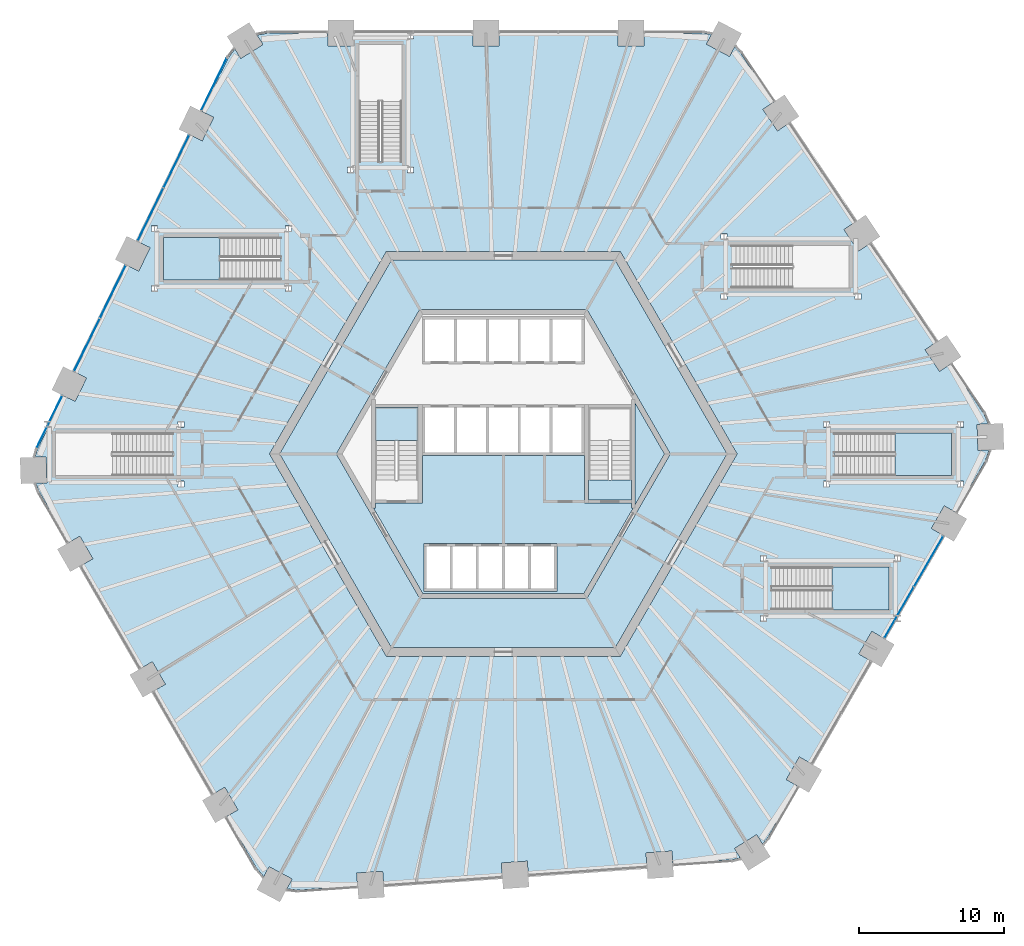
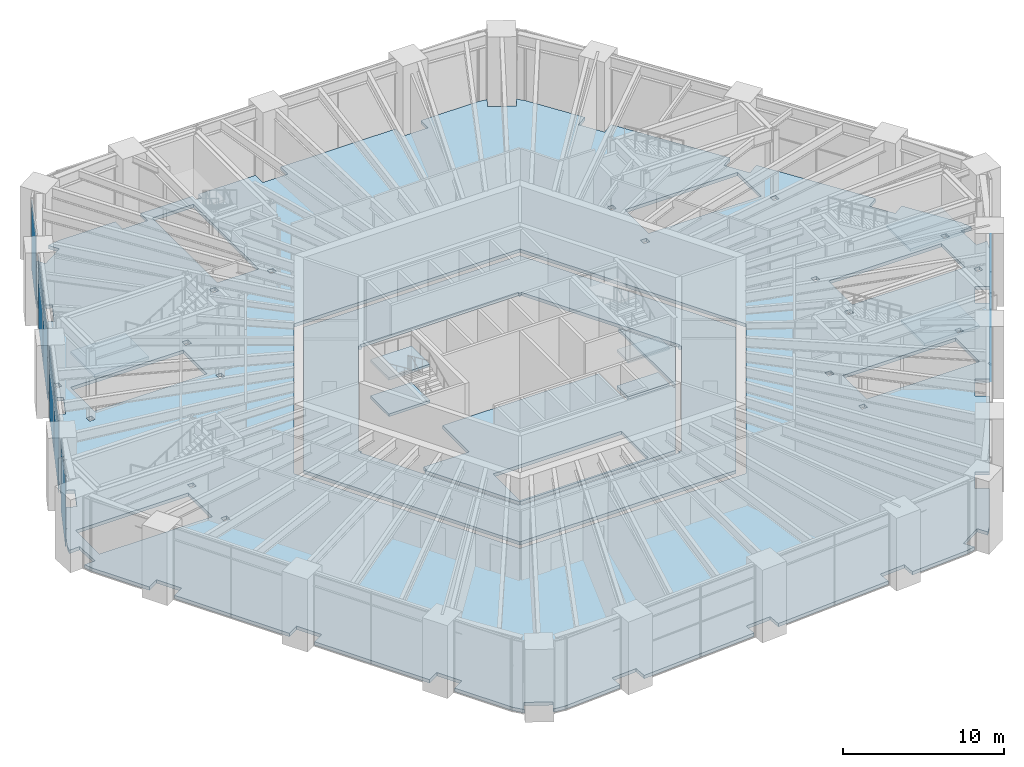
# One storey, part 17 of 30: 11 slabs, 8 plates, 10 elements without a shape of their own.
"""IFC4 building model written with IfcOpenShell, lengths in metres."""

from ifc_helpers import new_model, si_unit, direction, frame, origin, origin_2d, place, context, subcontext, project, spatial, polyline, rectangle, outline, extrude, material, layer, layer_set, type_object, element, aggregate, save


model = new_model("IFC4")

# Units and contexts
model_context = context("Model", 3, precision=1e-05, world=origin(), true_north=direction((0.0, 1.0)))
body_context = subcontext(model_context, "Body", "Model", "MODEL_VIEW")
ifc_project = project(units=[si_unit("LENGTHUNIT", "METRE"), si_unit("AREAUNIT", "SQUARE_METRE"), si_unit("VOLUMEUNIT", "CUBIC_METRE"), si_unit("PLANEANGLEUNIT", "RADIAN"), si_unit("MASSUNIT", "GRAM", prefix="KILO")], contexts=[model_context])

# Site, building, storey
site_placement = place(None, origin())
site = spatial("IfcSite", under=ifc_project, at=site_placement, CompositionType="ELEMENT")
building_placement = place(site_placement, origin())
building = spatial("IfcBuilding", under=site, at=building_placement, Name="Tarnside Tower", CompositionType="ELEMENT")
storey_placement = place(building_placement, frame((0.0, 0.0, 15.0)))
storey = spatial("IfcBuildingStorey", under=building, at=storey_placement, Name="L02", CompositionType="ELEMENT", Elevation=15.0)

# Slabs
ifc_material_1 = material(Name="Concrete C35/45", Category="concrete")
ifc_layer_1 = layer(ifc_material_1, 0.25)
ifc_layer_set_1 = layer_set([ifc_layer_1], Name="Composite floor slab 250")
slab_type_1 = type_object("IfcSlabType", Name="Composite floor slab 250", PredefinedType="FLOOR", material=ifc_layer_set_1)
slab_1_placement = place(storey_placement, frame((0.0, 0.0, -0.25)))
element("IfcSlab", 1, at=slab_1_placement, inside=storey, type_object=slab_type_1, Name="Floor slab L02", PredefinedType="FLOOR", context=body_context, shape_type="SweptSolid", body=[
    extrude(outline(polyline([(25.4775390625, -12.271728515625), (24.577392578125, -13.83056640625), (25.35693359375, -14.280517578125), (21.2451171875, -21.402587890625), (20.465576171875, -20.952392578125), (19.565673828125, -22.511474609375), (20.344970703125, -22.96142578125), (18.2890625, -26.522216796875), (17.91748046875, -26.9755859375), (17.51171875, -26.326416015625), (15.9853515625, -27.2802734375), (16.39111328125, -27.9296875), (15.82080078125, -28.064697265625), (11.718994140625, -28.3515625), (11.656005859375, -27.453857421875), (9.860595703125, -27.579345703125), (9.923095703125, -28.477294921875), (1.719482421875, -29.05078125), (1.65673828125, -28.153076171875), (-0.138916015625, -28.278564453125), (-0.075927734375, -29.176513671875), (-8.27978515625, -29.75), (-8.342529296875, -28.852294921875), (-10.13818359375, -28.977783203125), (-10.0751953125, -29.87548828125), (-14.177001953125, -30.162353515625), (-14.968994140625, -30.06982421875), (-14.6064453125, -29.3876953125), (-16.19580078125, -28.54248046875), (-16.558349609375, -29.224853515625), (-17.077880859375, -28.6201171875), (-19.134033203125, -25.05908203125), (-18.3544921875, -24.60888671875), (-19.25439453125, -23.05029296875), (-20.033935546875, -23.500244140625), (-24.145751953125, -16.378173828125), (-23.366455078125, -15.92822265625), (-24.266357421875, -14.369384765625), (-25.0458984375, -14.8193359375), (-29.15771484375, -7.697509765625), (-28.378173828125, -7.24755859375), (-29.2783203125, -5.688720703125), (-30.0576171875, -6.138671875), (-32.113525390625, -2.57763671875), (-32.3203125, -2.029296875), (-31.55517578125, -2.00244140625), (-31.617919921875, -0.20361328125), (-32.38330078125, -0.230224609375), (-32.215087890625, 0.331298828125), (-31.479736328125, 1.839111328125), (-31.339111328125, 1.839111328125), (-31.339111328125, 2.127197265625), (-30.41259765625, 4.027099609375), (-29.603759765625, 3.63232421875), (-28.814697265625, 5.250244140625), (-29.62353515625, 5.644775390625), (-26.0185546875, 13.0361328125), (-25.209716796875, 12.6416015625), (-24.420654296875, 14.259521484375), (-25.2294921875, 14.654052734375), (-21.62451171875, 22.04541015625), (-20.8154296875, 21.65087890625), (-20.026611328125, 23.268798828125), (-20.83544921875, 23.663330078125), (-19.032958984375, 27.35888671875), (-18.556640625, 27.99853515625), (-18.147216796875, 27.343505859375), (-16.620849609375, 28.297119140625), (-17.0302734375, 28.952392578125), (-16.24658203125, 29.10009765625), (-12.134765625, 29.10009765625), (-12.134765625, 28.199951171875), (-10.334716796875, 28.199951171875), (-10.334716796875, 29.10009765625), (-6.62548828125, 29.10009765625), (-6.62548828125, 28.689208984375), (-6.21337890625, 28.689208984375), (-6.21337890625, 29.10009765625), (-2.111083984375, 29.10009765625), (-2.111083984375, 28.199951171875), (-0.31103515625, 28.199951171875), (-0.31103515625, 29.10009765625), (7.91259765625, 29.10009765625), (7.91259765625, 28.199951171875), (9.712646484375, 28.199951171875), (9.712646484375, 29.10009765625), (13.824462890625, 29.10009765625), (14.40283203125, 29.0048828125), (14.04345703125, 28.328857421875), (15.6328125, 27.483642578125), (15.9921875, 28.159912109375), (16.39453125, 27.7333984375), (18.69384765625, 24.32470703125), (17.947509765625, 23.8212890625), (18.9541015625, 22.3291015625), (19.7001953125, 22.83251953125), (24.298828125, 16.0146484375), (23.552734375, 15.51123046875), (24.559326171875, 14.01904296875), (25.305419921875, 14.522216796875), (29.904052734375, 7.70458984375), (29.157958984375, 7.201416015625), (30.16455078125, 5.708984375), (30.91064453125, 6.21240234375), (33.2099609375, 2.803466796875), (33.52587890625, 2.0712890625), (32.753662109375, 2.044189453125), (32.81640625, 0.245361328125), (33.588623046875, 0.2724609375), (33.32470703125, -0.47998046875), (31.268798828125, -4.041015625), (30.4892578125, -3.591064453125), (29.58935546875, -5.14990234375), (30.36865234375, -5.599853515625), (27.156005859375, -11.164306640625), (27.04931640625, -11.164306640625), (27.04931640625, -11.349365234375), (26.2568359375, -12.7216796875), (25.4775390625, -12.271728515625)]), holes=[polyline([(8.0830078125, 14.0), (-8.0830078125, 14.0), (-16.165771484375, 0.0), (-8.0830078125, -14.0), (8.0830078125, -14.0), (16.165771484375, 0.0), (8.0830078125, 14.0)]), polyline([(-7.014892578125, 28.300048828125), (-9.96484375, 28.300048828125), (-9.96484375, 20.22998046875), (-7.014892578125, 20.22998046875), (-7.014892578125, 28.300048828125)]), polyline([(-22.8798828125, 1.449951171875), (-30.949951171875, 1.449951171875), (-30.949951171875, -1.5), (-22.8798828125, -1.5), (-22.8798828125, 1.449951171875)]), polyline([(22.929931640625, 1.449951171875), (22.929931640625, -1.5), (31.0, -1.5), (31.0, 1.449951171875), (22.929931640625, 1.449951171875)]), polyline([(23.909912109375, 14.425048828125), (15.840087890625, 14.425048828125), (15.840087890625, 11.47509765625), (23.909912109375, 11.47509765625), (23.909912109375, 14.425048828125)]), polyline([(26.659912109375, -10.77490234375), (26.659912109375, -7.824951171875), (18.590087890625, -7.824951171875), (18.590087890625, -10.77490234375), (26.659912109375, -10.77490234375)]), polyline([(-15.43994140625, 14.97509765625), (-23.510009765625, 14.97509765625), (-23.510009765625, 12.02490234375), (-15.43994140625, 12.02490234375), (-15.43994140625, 14.97509765625)]), polyline([(-6.62548828125, 19.4287109375), (-6.21337890625, 19.4287109375), (-6.21337890625, 19.8408203125), (-6.62548828125, 19.8408203125), (-6.62548828125, 19.4287109375)]), polyline([(-10.76611328125, 19.8408203125), (-10.76611328125, 19.4287109375), (-10.35400390625, 19.4287109375), (-10.35400390625, 19.8408203125), (-10.76611328125, 19.8408203125)]), polyline([(-22.07861328125, 1.839111328125), (-22.07861328125, 2.25146484375), (-22.49072265625, 2.25146484375), (-22.49072265625, 1.839111328125), (-22.07861328125, 1.839111328125)]), polyline([(-22.49072265625, -2.301513671875), (-22.07861328125, -2.301513671875), (-22.07861328125, -1.88916015625), (-22.49072265625, -1.88916015625), (-22.49072265625, -2.301513671875)]), polyline([(31.38916015625, 2.25146484375), (31.38916015625, 1.839111328125), (31.801513671875, 1.839111328125), (31.801513671875, 2.25146484375), (31.38916015625, 2.25146484375)]), polyline([(31.801513671875, -1.88916015625), (31.38916015625, -1.88916015625), (31.38916015625, -2.301513671875), (31.801513671875, -2.301513671875), (31.801513671875, -1.88916015625)]), polyline([(22.540771484375, -2.301513671875), (22.540771484375, -1.88916015625), (22.128662109375, -1.88916015625), (22.128662109375, -2.301513671875), (22.540771484375, -2.301513671875)]), polyline([(22.128662109375, 1.839111328125), (22.540771484375, 1.839111328125), (22.540771484375, 2.25146484375), (22.128662109375, 2.25146484375), (22.128662109375, 1.839111328125)]), polyline([(24.29931640625, 11.085693359375), (24.29931640625, 10.673583984375), (24.71142578125, 10.673583984375), (24.71142578125, 11.085693359375), (24.29931640625, 11.085693359375)]), polyline([(15.45068359375, 11.085693359375), (15.03857421875, 11.085693359375), (15.03857421875, 10.673583984375), (15.45068359375, 10.673583984375), (15.45068359375, 11.085693359375)]), polyline([(15.45068359375, 14.814208984375), (15.45068359375, 15.226318359375), (15.03857421875, 15.226318359375), (15.03857421875, 14.814208984375), (15.45068359375, 14.814208984375)]), polyline([(27.04931640625, -7.435791015625), (27.46142578125, -7.435791015625), (27.46142578125, -7.023681640625), (27.04931640625, -7.023681640625), (27.04931640625, -7.435791015625)]), polyline([(18.20068359375, -11.164306640625), (17.78857421875, -11.164306640625), (17.78857421875, -11.576416015625), (18.20068359375, -11.576416015625), (18.20068359375, -11.164306640625)]), polyline([(18.20068359375, -7.435791015625), (18.20068359375, -7.023681640625), (17.78857421875, -7.023681640625), (17.78857421875, -7.435791015625), (18.20068359375, -7.435791015625)]), polyline([(-24.311279296875, 11.2236328125), (-23.899169921875, 11.2236328125), (-23.899169921875, 11.6357421875), (-24.311279296875, 11.6357421875), (-24.311279296875, 11.2236328125)]), polyline([(-24.311279296875, 15.7763671875), (-24.311279296875, 15.3642578125), (-23.899169921875, 15.3642578125), (-23.899169921875, 15.7763671875), (-24.311279296875, 15.7763671875)]), polyline([(-14.638671875, 15.7763671875), (-15.05078125, 15.7763671875), (-15.05078125, 15.3642578125), (-14.638671875, 15.3642578125), (-14.638671875, 15.7763671875)]), polyline([(-14.638671875, 11.2236328125), (-14.638671875, 11.6357421875), (-15.05078125, 11.6357421875), (-15.05078125, 11.2236328125), (-14.638671875, 11.2236328125)])]), origin(), (0.0, 0.0, 1.0), 0.25),
])
ifc_material_2 = material(Name="Concrete C40/50", Category="concrete")
ifc_layer_2 = layer(ifc_material_2, 0.25)
ifc_layer_set_2 = layer_set([ifc_layer_2], Name="Core slab C40/50")
slab_type_2 = type_object("IfcSlabType", Name="Core slab C40/50", PredefinedType="FLOOR", material=ifc_layer_set_2)
slab_2_placement = place(storey_placement, frame((0.0, 0.0, -0.25)))
element("IfcSlab", 2, at=slab_2_placement, inside=storey, type_object=slab_type_2, Name="L02 core floor slab 1", PredefinedType="FLOOR", context=body_context, shape_type="SweptSolid", body=[
    extrude(outline(polyline([(-15.472900390625, 0.0), (-7.736572265625, 13.39990234375), (7.736572265625, 13.39990234375), (15.472900390625, 0.0), (7.736572265625, -13.39990234375), (-7.736572265625, -13.39990234375), (-15.472900390625, 0.0)]), holes=[polyline([(5.823974609375, -9.91259765625), (11.49658203125, -0.08740234375), (11.344970703125, 0.0), (11.49658203125, 0.08740234375), (5.823974609375, 9.91259765625), (5.672607421875, 9.824951171875), (5.672607421875, 10.0), (-5.672607421875, 10.0), (-5.672607421875, 9.824951171875), (-5.823974609375, 9.91259765625), (-11.49658203125, 0.08740234375), (-11.344970703125, 0.0), (-11.49658203125, -0.08740234375), (-5.823974609375, -9.91259765625), (-5.672607421875, -9.824951171875), (-5.672607421875, -10.0), (5.672607421875, -10.0), (5.672607421875, -9.824951171875), (5.823974609375, -9.91259765625)])]), origin(), (0.0, 0.0, 1.0), 0.25),
])
slab_3_placement = place(storey_placement, frame((0.0, 0.0, -0.25)))
element("IfcSlab", 3, at=slab_3_placement, inside=storey, type_object=slab_type_2, Name="L02 core floor slab 3", PredefinedType="FLOOR", context=body_context, shape_type="SweptSolid", body=[
    extrude(outline(polyline([(5.60009765625, -3.39990234375), (5.89990234375, -3.39990234375), (8.85009765625, -3.39990234375), (8.85009765625, -3.7548828125), (8.97509765625, -3.7548828125), (5.5712890625, -9.64990234375), (-5.5712890625, -9.64990234375), (-8.97509765625, -3.7548828125), (-8.85009765625, -3.7548828125), (-8.85009765625, -3.39990234375), (-5.89990234375, -3.39990234375), (-5.60009765625, -3.39990234375), (-5.60009765625, -0.10009765625), (5.60009765625, -0.10009765625), (5.60009765625, -3.39990234375)]), holes=[polyline([(-5.5, -9.300048828125), (-5.5, -9.5), (3.699951171875, -9.5), (3.699951171875, -9.300048828125), (3.699951171875, -6.39990234375), (3.699951171875, -6.199951171875), (-5.5, -6.199951171875), (-5.5, -6.39990234375), (-5.5, -9.300048828125)])]), origin(), (0.0, 0.0, 1.0), 0.25),
])
slab_4_placement = place(storey_placement, frame((0.0, 0.0, -0.25)))
element("IfcSlab", 4, at=slab_4_placement, inside=storey, type_object=slab_type_2, Name="L02 core floor slab 6", PredefinedType="FLOOR", context=body_context, shape_type="SweptSolid", body=[
    extrude(outline(polyline([(5.89990234375, -3.199951171875), (5.89990234375, -1.800048828125), (8.85009765625, -1.800048828125), (8.85009765625, -3.199951171875), (5.89990234375, -3.199951171875)])), origin(), (0.0, 0.0, 1.0), 0.25),
])
slab_5_placement = place(storey_placement, frame((0.0, 0.0, -0.25)))
element("IfcSlab", 5, at=slab_5_placement, inside=storey, type_object=slab_type_2, Name="L02 core floor slab 7", PredefinedType="FLOOR", context=body_context, shape_type="SweptSolid", body=[
    extrude(outline(polyline([(9.10009765625, -3.538330078125), (9.10009765625, 3.538330078125), (11.142822265625, 0.0), (9.10009765625, -3.538330078125)])), origin(), (0.0, 0.0, 1.0), 0.25),
])

# Stair, slab
stair_type_1 = type_object("IfcStairType", Name="Podium exit stair 1400 clear", PredefinedType="HALF_TURN_STAIR", material=ifc_material_2)
stair_1_placement = place(storey_placement, origin())
stair_1 = element("IfcStair", 6, at=stair_1_placement, inside=storey, type_object=stair_type_1, Name="L02 Podium exit stair 3", PredefinedType="HALF_TURN_STAIR")
ifc_layer_3 = layer(ifc_material_2, 0.199951171875)
ifc_layer_set_3 = layer_set([ifc_layer_3], Name="Podium stair landing 200 C40/50")
slab_type_3 = type_object("IfcSlabType", Name="Podium stair landing 200 C40/50", PredefinedType="LANDING", material=ifc_layer_set_3)
slab_6_placement = place(storey_placement, frame((0.0, 0.0, 2.550048828125)))
slab_6 = element("IfcSlab", 7, at=slab_6_placement, type_object=slab_type_3, Name="PS3 landing 1", PredefinedType="LANDING", context=body_context, shape_type="SweptSolid", body=[
    extrude(outline(polyline([(27.080078125, -1.5), (31.0, -1.5), (31.0, 1.449951171875), (27.080078125, 1.449951171875), (27.080078125, -1.5)])), origin(), (0.0, 0.0, 1.0), 0.199951171875),
])
aggregate(stair_1, [slab_6])

stair_2_placement = place(storey_placement, origin())
stair_2 = element("IfcStair", 8, at=stair_2_placement, inside=storey, type_object=stair_type_1, Name="L02 Podium exit stair 5", PredefinedType="HALF_TURN_STAIR")
slab_7_placement = place(storey_placement, frame((0.0, 0.0, 2.550048828125)))
slab_7 = element("IfcSlab", 9, at=slab_7_placement, type_object=slab_type_3, Name="PS5 landing 1", PredefinedType="LANDING", context=body_context, shape_type="SweptSolid", body=[
    extrude(outline(polyline([(22.739990234375, -10.77490234375), (26.659912109375, -10.77490234375), (26.659912109375, -7.824951171875), (22.739990234375, -7.824951171875), (22.739990234375, -10.77490234375)])), origin(), (0.0, 0.0, 1.0), 0.199951171875),
])
aggregate(stair_2, [slab_7])

stair_3_placement = place(storey_placement, origin())
stair_3 = element("IfcStair", 10, at=stair_3_placement, inside=storey, type_object=stair_type_1, Name="L02 Podium exit stair 6", PredefinedType="HALF_TURN_STAIR")
slab_8_placement = place(storey_placement, frame((0.0, 0.0, 2.550048828125)))
slab_8 = element("IfcSlab", 11, at=slab_8_placement, type_object=slab_type_3, Name="PS6 landing 1", PredefinedType="LANDING", context=body_context, shape_type="SweptSolid", body=[
    extrude(outline(polyline([(-19.590087890625, 14.97509765625), (-23.510009765625, 14.97509765625), (-23.510009765625, 12.02490234375), (-19.590087890625, 12.02490234375), (-19.590087890625, 14.97509765625)])), origin(), (0.0, 0.0, 1.0), 0.199951171875),
])
aggregate(stair_3, [slab_8])

# Curtain wall, plate
ifc_material_3 = material(Name="Retail shopfront glazing wall", Category="glass")
curtain_wall_type = type_object("IfcCurtainWallType", Name="Retail shopfront glazing wall", PredefinedType="NOTDEFINED", material=ifc_material_3)
curtain_wall_1_placement = place(storey_placement, origin())
curtain_wall_1 = element("IfcCurtainWall", 12, at=curtain_wall_1_placement, inside=storey, type_object=curtain_wall_type, Name="Retail shopfront glazing L02 03.1", PredefinedType="NOTDEFINED")
ifc_material_4 = material(Name="Low-iron safety glass", Category="glass")
ifc_layer_4 = layer(ifc_material_4, 0.028076171875)
ifc_layer_set_4 = layer_set([ifc_layer_4], Name="Retail shopfront glazing panel 28")
plate_type = type_object("IfcPlateType", Name="Retail shopfront glazing panel 28", PredefinedType="CURTAIN_PANEL", material=ifc_layer_set_4)
plate_1_placement = place(storey_placement, frame((-20.006103515625, 25.546142578125, -0.18994140625), z_axis=(0.0, 0.0, 1.0), x_axis=(-0.438371146758, -0.898794046314, 0.0)))
plate_1 = element("IfcPlate", 13, at=plate_1_placement, type_object=plate_type, Name="CW2 panel 1.1", PredefinedType="CURTAIN_PANEL", context=body_context, shape_type="SweptSolid", body=[
    extrude(rectangle(XDim=3.991943359375, YDim=0.028076171875, at=origin_2d()), origin(), (0.0, 0.0, 1.0), 5.3798828125),
])
aggregate(curtain_wall_1, [plate_1])

# Curtain wall, plates
curtain_wall_2_placement = place(storey_placement, origin())
curtain_wall_2 = element("IfcCurtainWall", 14, at=curtain_wall_2_placement, inside=storey, type_object=curtain_wall_type, Name="Retail shopfront glazing L02 04.0", PredefinedType="NOTDEFINED")
plate_2_placement = place(storey_placement, frame((-22.604248046875, 20.21923828125, -0.18994140625), z_axis=(0.0, 0.0, 1.0), x_axis=(-0.438371146805, -0.898794046292, 0.0)))
plate_2 = element("IfcPlate", 15, at=plate_2_placement, type_object=plate_type, Name="CW2 panel 1.1", PredefinedType="CURTAIN_PANEL", context=body_context, shape_type="SweptSolid", body=[
    extrude(rectangle(XDim=4.021728515625, YDim=0.028076171875, at=origin_2d()), origin(), (0.0, 0.0, 1.0), 5.3798828125),
])
plate_3_placement = place(storey_placement, frame((-24.3935546875, 16.550537109375, -0.18994140625), z_axis=(0.0, 0.0, 1.0), x_axis=(-0.438371146805, -0.898794046292, 0.0)))
plate_3 = element("IfcPlate", 16, at=plate_3_placement, type_object=plate_type, Name="CW2 panel 2.1", PredefinedType="CURTAIN_PANEL", context=body_context, shape_type="SweptSolid", body=[
    extrude(rectangle(XDim=4.021728515625, YDim=0.028076171875, at=origin_2d()), origin(), (0.0, 0.0, 1.0), 5.3798828125),
])
aggregate(curtain_wall_2, [plate_2, plate_3])

curtain_wall_3_placement = place(storey_placement, origin())
curtain_wall_3 = element("IfcCurtainWall", 17, at=curtain_wall_3_placement, inside=storey, type_object=curtain_wall_type, Name="Retail shopfront glazing L02 05.0", PredefinedType="NOTDEFINED")
plate_4_placement = place(storey_placement, frame((-26.998291015625, 11.2099609375, -0.18994140625), z_axis=(0.0, 0.0, 1.0), x_axis=(-0.438371146805, -0.898794046292, 0.0)))
plate_4 = element("IfcPlate", 18, at=plate_4_placement, type_object=plate_type, Name="CW2 panel 1.1", PredefinedType="CURTAIN_PANEL", context=body_context, shape_type="SweptSolid", body=[
    extrude(rectangle(XDim=4.021728515625, YDim=0.028076171875, at=origin_2d()), origin(), (0.0, 0.0, 1.0), 5.3798828125),
])
plate_5_placement = place(storey_placement, frame((-28.78759765625, 7.541259765625, -0.18994140625), z_axis=(0.0, 0.0, 1.0), x_axis=(-0.438371146805, -0.898794046292, 0.0)))
plate_5 = element("IfcPlate", 19, at=plate_5_placement, type_object=plate_type, Name="CW2 panel 2.1", PredefinedType="CURTAIN_PANEL", context=body_context, shape_type="SweptSolid", body=[
    extrude(rectangle(XDim=4.021728515625, YDim=0.028076171875, at=origin_2d()), origin(), (0.0, 0.0, 1.0), 5.3798828125),
])
aggregate(curtain_wall_3, [plate_4, plate_5])

# Curtain wall, plate
curtain_wall_4_placement = place(storey_placement, origin())
curtain_wall_4 = element("IfcCurtainWall", 20, at=curtain_wall_4_placement, inside=storey, type_object=curtain_wall_type, Name="Retail shopfront glazing L02 06.0", PredefinedType="NOTDEFINED")
plate_6_placement = place(storey_placement, frame((-31.3857421875, 2.214111328125, -0.18994140625), z_axis=(0.0, 0.0, 1.0), x_axis=(-0.438371146758, -0.898794046314, 0.0)))
plate_6 = element("IfcPlate", 21, at=plate_6_placement, type_object=plate_type, Name="CW2 panel 1.1", PredefinedType="CURTAIN_PANEL", context=body_context, shape_type="SweptSolid", body=[
    extrude(rectangle(XDim=3.991943359375, YDim=0.028076171875, at=origin_2d()), origin(), (0.0, 0.0, 1.0), 5.3798828125),
])
aggregate(curtain_wall_4, [plate_6])

# Curtain wall, plates
curtain_wall_5_placement = place(storey_placement, origin())
curtain_wall_5 = element("IfcCurtainWall", 22, at=curtain_wall_5_placement, inside=storey, type_object=curtain_wall_type, Name="Retail shopfront glazing L02 17.0", PredefinedType="NOTDEFINED")
plate_7_placement = place(storey_placement, frame((27.361572265625, -10.96826171875, -0.18994140625), z_axis=(0.0, 0.0, 1.0), x_axis=(0.500000000076, 0.866025403741, 0.0)))
plate_7 = element("IfcPlate", 23, at=plate_7_placement, type_object=plate_type, Name="CW2 panel 1.1", PredefinedType="CURTAIN_PANEL", context=body_context, shape_type="SweptSolid", body=[
    extrude(rectangle(XDim=4.021728515625, YDim=0.028076171875, at=origin_2d()), origin(), (0.0, 0.0, 1.0), 5.3798828125),
])
plate_8_placement = place(storey_placement, frame((29.402587890625, -7.433349609375, -0.18994140625), z_axis=(0.0, 0.0, 1.0), x_axis=(0.500000000076, 0.866025403741, 0.0)))
plate_8 = element("IfcPlate", 24, at=plate_8_placement, type_object=plate_type, Name="CW2 panel 2.1", PredefinedType="CURTAIN_PANEL", context=body_context, shape_type="SweptSolid", body=[
    extrude(rectangle(XDim=4.021728515625, YDim=0.028076171875, at=origin_2d()), origin(), (0.0, 0.0, 1.0), 5.3798828125),
])
aggregate(curtain_wall_5, [plate_7, plate_8])

# Stair, slab
stair_type_2 = type_object("IfcStairType", Name="Exit stair 1400 clear", PredefinedType="HALF_TURN_STAIR", material=ifc_material_2)
stair_4_placement = place(storey_placement, origin())
stair_4 = element("IfcStair", 25, at=stair_4_placement, inside=storey, type_object=stair_type_2, Name="L02 Exit stair 1", PredefinedType="HALF_TURN_STAIR")
ifc_layer_5 = layer(ifc_material_2, 0.199951171875)
ifc_layer_set_5 = layer_set([ifc_layer_5], Name="Stair landing 200 C40/50")
slab_type_4 = type_object("IfcSlabType", Name="Stair landing 200 C40/50", PredefinedType="LANDING", material=ifc_layer_set_5)
slab_9_placement = place(storey_placement, frame((0.0, 0.0, 2.550048828125)))
slab_9 = element("IfcSlab", 26, at=slab_9_placement, type_object=slab_type_4, Name="ST1 landing 2", PredefinedType="LANDING", context=body_context, shape_type="SweptSolid", body=[
    extrude(outline(polyline([(8.85009765625, -3.199951171875), (8.85009765625, -1.800048828125), (5.89990234375, -1.800048828125), (5.89990234375, -3.199951171875), (8.85009765625, -3.199951171875)])), origin(), (0.0, 0.0, 1.0), 0.199951171875),
])
aggregate(stair_4, [slab_9])

# Stair, slabs
stair_5_placement = place(storey_placement, origin())
stair_5 = element("IfcStair", 27, at=stair_5_placement, inside=storey, type_object=stair_type_2, Name="L02 Exit stair 2", PredefinedType="HALF_TURN_STAIR")
slab_10_placement = place(storey_placement, frame((0.0, 0.0, 1.175048828125)))
slab_10 = element("IfcSlab", 28, at=slab_10_placement, type_object=slab_type_4, Name="ST2 landing 1", PredefinedType="LANDING", context=body_context, shape_type="SweptSolid", body=[
    extrude(outline(polyline([(-5.89990234375, 0.919921875), (-5.89990234375, 3.199951171875), (-8.85009765625, 3.199951171875), (-8.85009765625, 0.919921875), (-5.89990234375, 0.919921875)])), origin(), (0.0, 0.0, 1.0), 0.199951171875),
])
slab_11_placement = place(storey_placement, frame((0.0, 0.0, 3.925048828125)))
slab_11 = element("IfcSlab", 29, at=slab_11_placement, type_object=slab_type_4, Name="ST2 landing 3", PredefinedType="LANDING", context=body_context, shape_type="SweptSolid", body=[
    extrude(outline(polyline([(-5.89990234375, 0.919921875), (-5.89990234375, 3.199951171875), (-8.85009765625, 3.199951171875), (-8.85009765625, 0.919921875), (-5.89990234375, 0.919921875)])), origin(), (0.0, 0.0, 1.0), 0.199951171875),
])
aggregate(stair_5, [slab_10, slab_11])

save(model, "model.ifc")
